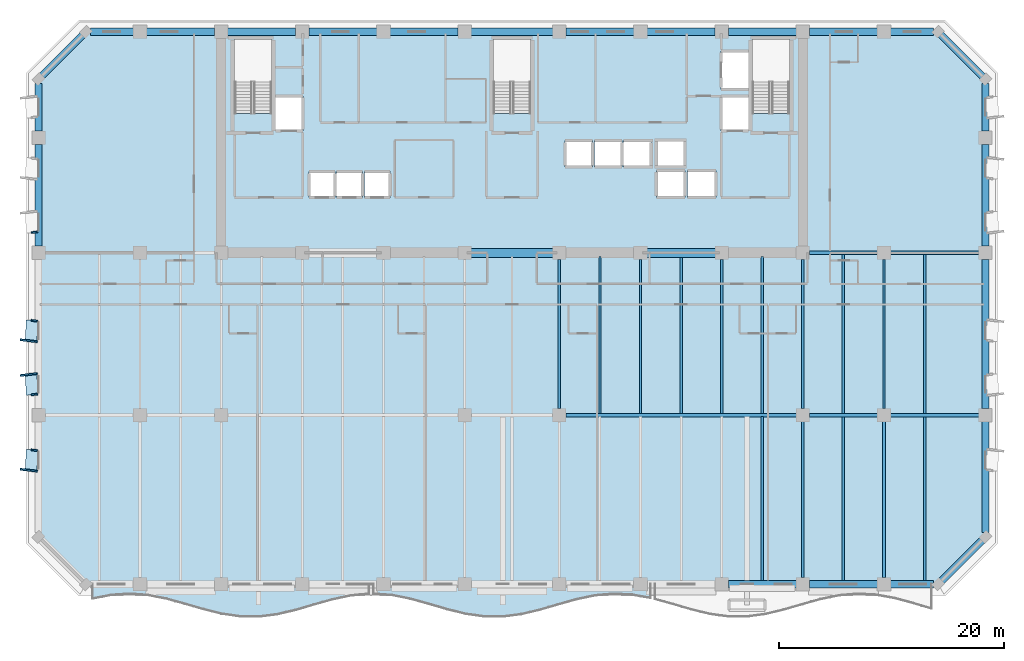
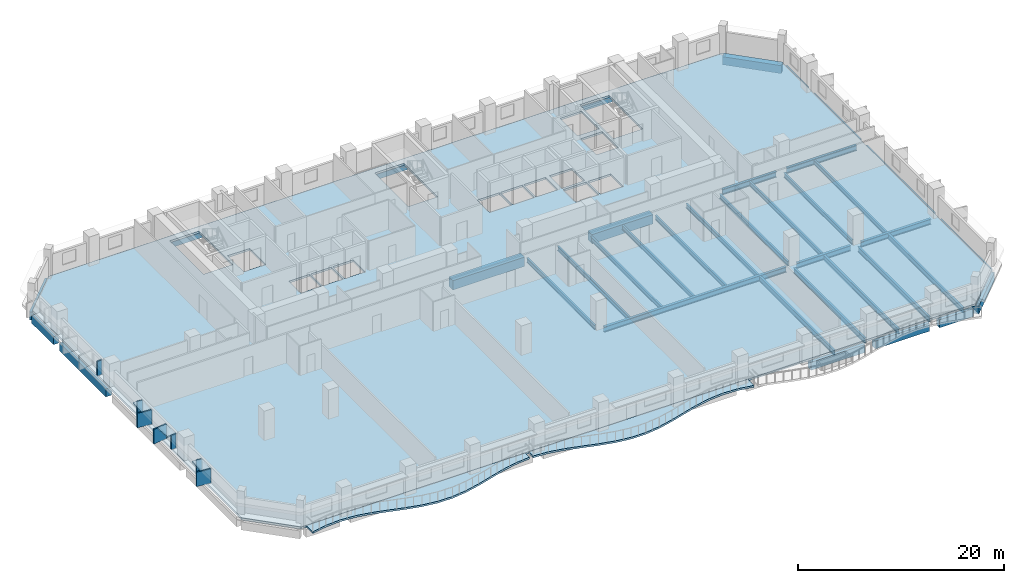
# One storey, part 2 of 14: 45 beams, 10 plates, 3 slabs.
"""IFC4 building model written with IfcOpenShell, lengths in metres."""

from ifc_helpers import new_model, si_unit, direction, frame, origin, origin_2d, place, context, subcontext, project, spatial, polyline, rectangle, i_section, outline, extrude, material, layer, layer_set, material_profile, profile_set, type_object, element, save


model = new_model("IFC4")

# Units and contexts
model_context = context("Model", 3, precision=1e-05, world=origin(), true_north=direction((0.0, 1.0)))
body_context = subcontext(model_context, "Body", "Model", "MODEL_VIEW")
ifc_project = project(units=[si_unit("LENGTHUNIT", "METRE"), si_unit("AREAUNIT", "SQUARE_METRE"), si_unit("VOLUMEUNIT", "CUBIC_METRE"), si_unit("PLANEANGLEUNIT", "RADIAN"), si_unit("MASSUNIT", "GRAM", prefix="KILO")], contexts=[model_context])

# Site, building, storey
site_placement = place(None, origin())
site = spatial("IfcSite", under=ifc_project, at=site_placement, CompositionType="ELEMENT")
building_placement = place(site_placement, origin())
building = spatial("IfcBuilding", under=site, at=building_placement, Name="Kaelvorn Grand Hotel", CompositionType="ELEMENT")
storey_placement = place(building_placement, frame((0.0, 0.0, 123.050048828125)))
storey = spatial("IfcBuildingStorey", under=building, at=storey_placement, Name="L29", CompositionType="ELEMENT", Elevation=123.050048828125)

# Beams
ifc_material_1 = material(Name="Steel S355", Category="steel")
ifc_material_profile_1 = material_profile(ifc_material_1, i_section(OverallWidth=0.300048828125, OverallDepth=0.64990234375, WebThickness=0.01611328125, FlangeThickness=0.031005859375, FilletRadius=0.027099609375, at=origin_2d()), Name="HEB 650")
ifc_profile_set_1 = profile_set([ifc_material_profile_1], Name="Steel S355")
beam_type_1 = type_object("IfcBeamType", Name="BM-G-HEB650-S355", PredefinedType="BEAM", material=ifc_profile_set_1)
beam_1_placement = place(storey_placement, frame((46.784912109375, 15.0, -0.56494140625), z_axis=(1.0, 0.0, 0.0), x_axis=(0.0, 1.0, 0.0)))
element("IfcBeam", 1, at=beam_1_placement, inside=storey, type_object=beam_type_1, Name="L29 Primary Spine Steel Girder G-15 05", PredefinedType="BEAM", context=body_context, shape_type="SweptSolid", body=[
    extrude(i_section(OverallWidth=0.300048828125, OverallDepth=0.64990234375, WebThickness=0.01611328125, FlangeThickness=0.031005859375, FilletRadius=0.027099609375, at=origin_2d()), origin(), (0.0, 0.0, 1.0), 20.43017578125),
])
beam_2_placement = place(storey_placement, frame((68.385009765625, 15.0, -0.56494140625), z_axis=(1.0, 0.0, 0.0), x_axis=(0.0, 1.0, 0.0)))
element("IfcBeam", 2, at=beam_2_placement, inside=storey, type_object=beam_type_1, Name="L29 Primary Spine Steel Girder G-15 06", PredefinedType="BEAM", context=body_context, shape_type="SweptSolid", body=[
    extrude(i_section(OverallWidth=0.300048828125, OverallDepth=0.64990234375, WebThickness=0.01611328125, FlangeThickness=0.031005859375, FilletRadius=0.027099609375, at=origin_2d()), origin(), (0.0, 0.0, 1.0), 6.030029296875),
])
beam_3_placement = place(storey_placement, frame((75.5849609375, 15.0, -0.56494140625), z_axis=(1.0, 0.0, 0.0), x_axis=(0.0, 1.0, 0.0)))
element("IfcBeam", 3, at=beam_3_placement, inside=storey, type_object=beam_type_1, Name="L29 Primary Spine Steel Girder G-15 07", PredefinedType="BEAM", context=body_context, shape_type="SweptSolid", body=[
    extrude(i_section(OverallWidth=0.300048828125, OverallDepth=0.64990234375, WebThickness=0.01611328125, FlangeThickness=0.031005859375, FilletRadius=0.027099609375, at=origin_2d()), origin(), (0.0, 0.0, 1.0), 7.830078125),
])
beam_4_placement = place(storey_placement, frame((68.385009765625, 29.39990234375, -0.56494140625), z_axis=(1.0, 0.0, 0.0), x_axis=(0.0, 1.0, 0.0)))
element("IfcBeam", 4, at=beam_4_placement, inside=storey, type_object=beam_type_1, Name="L29 East Core Wing Steel Girder G-29E 01", PredefinedType="BEAM", context=body_context, shape_type="SweptSolid", body=[
    extrude(i_section(OverallWidth=0.300048828125, OverallDepth=0.64990234375, WebThickness=0.01611328125, FlangeThickness=0.031005859375, FilletRadius=0.027099609375, at=origin_2d()), origin(), (0.0, 0.0, 1.0), 6.030029296875),
])
beam_5_placement = place(storey_placement, frame((75.5849609375, 29.39990234375, -0.56494140625), z_axis=(1.0, 0.0, 0.0), x_axis=(0.0, 1.0, 0.0)))
element("IfcBeam", 5, at=beam_5_placement, inside=storey, type_object=beam_type_1, Name="L29 East Core Wing Steel Girder G-29E 02", PredefinedType="BEAM", context=body_context, shape_type="SweptSolid", body=[
    extrude(i_section(OverallWidth=0.300048828125, OverallDepth=0.64990234375, WebThickness=0.01611328125, FlangeThickness=0.031005859375, FilletRadius=0.027099609375, at=origin_2d()), origin(), (0.0, 0.0, 1.0), 7.830078125),
])
ifc_material_profile_2 = material_profile(ifc_material_1, i_section(OverallWidth=0.209228515625, OverallDepth=0.533203125, WebThickness=0.010009765625, FlangeThickness=0.015625, FilletRadius=0.0126953125, at=origin_2d()), Name="UB 533x210x92")
ifc_profile_set_2 = profile_set([ifc_material_profile_2], Name="Steel S355")
beam_type_2 = type_object("IfcBeamType", Name="BM-J-UB533-S355", PredefinedType="JOIST", material=ifc_profile_set_2)
beam_6_placement = place(storey_placement, frame((46.199951171875, 15.5849609375, -0.506591796875), z_axis=(0.0, 1.0, 0.0), x_axis=(-1.0, 0.0, 0.0)))
element("IfcBeam", 6, at=beam_6_placement, inside=storey, type_object=beam_type_2, Name="L29 Composite Floor Joist JM-13", PredefinedType="JOIST", context=body_context, shape_type="SweptSolid", body=[
    extrude(i_section(OverallWidth=0.209228515625, OverallDepth=0.533203125, WebThickness=0.010009765625, FlangeThickness=0.015625, FilletRadius=0.0126953125, at=origin_2d()), origin(), (0.0, 0.0, 1.0), 13.22998046875),
])
beam_7_placement = place(storey_placement, frame((49.800048828125, 15.135009765625, -0.506591796875), z_axis=(0.0, 1.0, 0.0), x_axis=(-1.0, 0.0, 0.0)))
element("IfcBeam", 7, at=beam_7_placement, inside=storey, type_object=beam_type_2, Name="L29 Composite Floor Joist JM-14", PredefinedType="JOIST", context=body_context, shape_type="SweptSolid", body=[
    extrude(i_section(OverallWidth=0.209228515625, OverallDepth=0.533203125, WebThickness=0.010009765625, FlangeThickness=0.015625, FilletRadius=0.0126953125, at=origin_2d()), origin(), (0.0, 0.0, 1.0), 13.925048828125),
])
beam_8_placement = place(storey_placement, frame((53.39990234375, 15.135009765625, -0.506591796875), z_axis=(0.0, 1.0, 0.0), x_axis=(-1.0, 0.0, 0.0)))
element("IfcBeam", 8, at=beam_8_placement, inside=storey, type_object=beam_type_2, Name="L29 Composite Floor Joist JM-15", PredefinedType="JOIST", context=body_context, shape_type="SweptSolid", body=[
    extrude(i_section(OverallWidth=0.209228515625, OverallDepth=0.533203125, WebThickness=0.010009765625, FlangeThickness=0.015625, FilletRadius=0.0126953125, at=origin_2d()), origin(), (0.0, 0.0, 1.0), 13.679931640625),
])
beam_9_placement = place(storey_placement, frame((57.0, 15.135009765625, -0.506591796875), z_axis=(0.0, 1.0, 0.0), x_axis=(-1.0, 0.0, 0.0)))
element("IfcBeam", 9, at=beam_9_placement, inside=storey, type_object=beam_type_2, Name="L29 Composite Floor Joist JM-16", PredefinedType="JOIST", context=body_context, shape_type="SweptSolid", body=[
    extrude(i_section(OverallWidth=0.209228515625, OverallDepth=0.533203125, WebThickness=0.010009765625, FlangeThickness=0.015625, FilletRadius=0.0126953125, at=origin_2d()), origin(), (0.0, 0.0, 1.0), 13.925048828125),
])
beam_10_placement = place(storey_placement, frame((60.60009765625, 15.135009765625, -0.506591796875), z_axis=(0.0, 1.0, 0.0), x_axis=(-1.0, 0.0, 0.0)))
element("IfcBeam", 10, at=beam_10_placement, inside=storey, type_object=beam_type_2, Name="L29 Composite Floor Joist JM-17", PredefinedType="JOIST", context=body_context, shape_type="SweptSolid", body=[
    extrude(i_section(OverallWidth=0.209228515625, OverallDepth=0.533203125, WebThickness=0.010009765625, FlangeThickness=0.015625, FilletRadius=0.0126953125, at=origin_2d()), origin(), (0.0, 0.0, 1.0), 13.679931640625),
])
beam_11_placement = place(storey_placement, frame((64.199951171875, 15.135009765625, -0.506591796875), z_axis=(0.0, 1.0, 0.0), x_axis=(-1.0, 0.0, 0.0)))
element("IfcBeam", 11, at=beam_11_placement, inside=storey, type_object=beam_type_2, Name="L29 Composite Floor Joist JM-18", PredefinedType="JOIST", context=body_context, shape_type="SweptSolid", body=[
    extrude(i_section(OverallWidth=0.209228515625, OverallDepth=0.533203125, WebThickness=0.010009765625, FlangeThickness=0.015625, FilletRadius=0.0126953125, at=origin_2d()), origin(), (0.0, 0.0, 1.0), 13.925048828125),
])
beam_12_placement = place(storey_placement, frame((67.800048828125, 15.5849609375, -0.506591796875), z_axis=(0.0, 1.0, 0.0), x_axis=(-1.0, 0.0, 0.0)))
element("IfcBeam", 12, at=beam_12_placement, inside=storey, type_object=beam_type_2, Name="L29 Composite Floor Joist JM-19", PredefinedType="JOIST", context=body_context, shape_type="SweptSolid", body=[
    extrude(i_section(OverallWidth=0.209228515625, OverallDepth=0.533203125, WebThickness=0.010009765625, FlangeThickness=0.015625, FilletRadius=0.0126953125, at=origin_2d()), origin(), (0.0, 0.0, 1.0), 13.22998046875),
])
beam_13_placement = place(storey_placement, frame((71.39990234375, 15.135009765625, -0.506591796875), z_axis=(0.0, 1.0, 0.0), x_axis=(-1.0, 0.0, 0.0)))
element("IfcBeam", 13, at=beam_13_placement, inside=storey, type_object=beam_type_2, Name="L29 Composite Floor Joist JM-20", PredefinedType="JOIST", context=body_context, shape_type="SweptSolid", body=[
    extrude(i_section(OverallWidth=0.209228515625, OverallDepth=0.533203125, WebThickness=0.010009765625, FlangeThickness=0.015625, FilletRadius=0.0126953125, at=origin_2d()), origin(), (0.0, 0.0, 1.0), 14.1298828125),
])
beam_14_placement = place(storey_placement, frame((75.0, 15.5849609375, -0.506591796875), z_axis=(0.0, 1.0, 0.0), x_axis=(-1.0, 0.0, 0.0)))
element("IfcBeam", 14, at=beam_14_placement, inside=storey, type_object=beam_type_2, Name="L29 Composite Floor Joist JM-21", PredefinedType="JOIST", context=body_context, shape_type="SweptSolid", body=[
    extrude(i_section(OverallWidth=0.209228515625, OverallDepth=0.533203125, WebThickness=0.010009765625, FlangeThickness=0.015625, FilletRadius=0.0126953125, at=origin_2d()), origin(), (0.0, 0.0, 1.0), 13.22998046875),
])
beam_15_placement = place(storey_placement, frame((78.60009765625, 15.135009765625, -0.506591796875), z_axis=(0.0, 1.0, 0.0), x_axis=(-1.0, 0.0, 0.0)))
element("IfcBeam", 15, at=beam_15_placement, inside=storey, type_object=beam_type_2, Name="L29 Composite Floor Joist JM-22", PredefinedType="JOIST", context=body_context, shape_type="SweptSolid", body=[
    extrude(i_section(OverallWidth=0.209228515625, OverallDepth=0.533203125, WebThickness=0.010009765625, FlangeThickness=0.015625, FilletRadius=0.0126953125, at=origin_2d()), origin(), (0.0, 0.0, 1.0), 14.1298828125),
])
ifc_material_profile_3 = material_profile(ifc_material_1, i_section(OverallWidth=0.22900390625, OverallDepth=0.6123046875, WebThickness=0.011962890625, FlangeThickness=0.01953125, FilletRadius=0.0126953125, at=origin_2d()), Name="UB 610x229x125")
ifc_profile_set_3 = profile_set([ifc_material_profile_3], Name="Steel S355")
beam_type_3 = type_object("IfcBeamType", Name="BM-J-UB610-S355", PredefinedType="JOIST", material=ifc_profile_set_3)
beam_16_placement = place(storey_placement, frame((64.199951171875, 0.31005859375, -0.546142578125), z_axis=(0.0, 1.0, 0.0), x_axis=(-1.0, 0.0, 0.0)))
element("IfcBeam", 16, at=beam_16_placement, inside=storey, type_object=beam_type_3, Name="L29 Composite Floor Joist JS-18", PredefinedType="JOIST", context=body_context, shape_type="SweptSolid", body=[
    extrude(i_section(OverallWidth=0.22900390625, OverallDepth=0.6123046875, WebThickness=0.011962890625, FlangeThickness=0.01953125, FilletRadius=0.0126953125, at=origin_2d()), origin(), (0.0, 0.0, 1.0), 14.554931640625),
])
beam_17_placement = place(storey_placement, frame((67.800048828125, 0.5849609375, -0.546142578125), z_axis=(0.0, 1.0, 0.0), x_axis=(-1.0, 0.0, 0.0)))
element("IfcBeam", 17, at=beam_17_placement, inside=storey, type_object=beam_type_3, Name="L29 Composite Floor Joist JS-19", PredefinedType="JOIST", context=body_context, shape_type="SweptSolid", body=[
    extrude(i_section(OverallWidth=0.22900390625, OverallDepth=0.6123046875, WebThickness=0.011962890625, FlangeThickness=0.01953125, FilletRadius=0.0126953125, at=origin_2d()), origin(), (0.0, 0.0, 1.0), 13.830078125),
])
beam_18_placement = place(storey_placement, frame((71.39990234375, 0.31005859375, -0.546142578125), z_axis=(0.0, 1.0, 0.0), x_axis=(-1.0, 0.0, 0.0)))
element("IfcBeam", 18, at=beam_18_placement, inside=storey, type_object=beam_type_3, Name="L29 Composite Floor Joist JS-20", PredefinedType="JOIST", context=body_context, shape_type="SweptSolid", body=[
    extrude(i_section(OverallWidth=0.22900390625, OverallDepth=0.6123046875, WebThickness=0.011962890625, FlangeThickness=0.01953125, FilletRadius=0.0126953125, at=origin_2d()), origin(), (0.0, 0.0, 1.0), 14.554931640625),
])
beam_19_placement = place(storey_placement, frame((75.0, 0.5849609375, -0.546142578125), z_axis=(0.0, 1.0, 0.0), x_axis=(-1.0, 0.0, 0.0)))
element("IfcBeam", 19, at=beam_19_placement, inside=storey, type_object=beam_type_3, Name="L29 Composite Floor Joist JS-21", PredefinedType="JOIST", context=body_context, shape_type="SweptSolid", body=[
    extrude(i_section(OverallWidth=0.22900390625, OverallDepth=0.6123046875, WebThickness=0.011962890625, FlangeThickness=0.01953125, FilletRadius=0.0126953125, at=origin_2d()), origin(), (0.0, 0.0, 1.0), 13.830078125),
])
beam_20_placement = place(storey_placement, frame((78.60009765625, 0.31005859375, -0.546142578125), z_axis=(0.0, 1.0, 0.0), x_axis=(-1.0, 0.0, 0.0)))
element("IfcBeam", 20, at=beam_20_placement, inside=storey, type_object=beam_type_3, Name="L29 Composite Floor Joist JS-22", PredefinedType="JOIST", context=body_context, shape_type="SweptSolid", body=[
    extrude(i_section(OverallWidth=0.22900390625, OverallDepth=0.6123046875, WebThickness=0.011962890625, FlangeThickness=0.01953125, FilletRadius=0.0126953125, at=origin_2d()), origin(), (0.0, 0.0, 1.0), 14.554931640625),
])
ifc_material_2 = material(Name="Concrete C60/75", Category="concrete")
ifc_material_profile_4 = material_profile(ifc_material_2, rectangle(XDim=0.800048828125, YDim=1.10009765625, at=origin_2d()), Name="RC LINTEL 800x1100")
ifc_profile_set_4 = profile_set([ifc_material_profile_4], Name="Concrete C60/75")
beam_type_4 = type_object("IfcBeamType", Name="BM-LIN-800x1100-C60", PredefinedType="LINTEL", material=ifc_profile_set_4)
beam_21_placement = place(storey_placement, frame((37.97998046875, 29.39990234375, -0.7900390625), z_axis=(1.0, 0.0, 0.0), x_axis=(0.0, 1.0, 0.0)))
element("IfcBeam", 21, at=beam_21_placement, inside=storey, type_object=beam_type_4, Name="L29 Rear-Core Coupling Lintel Beam CB1-02", PredefinedType="LINTEL", context=body_context, shape_type="SweptSolid", body=[
    extrude(rectangle(XDim=0.800048828125, YDim=1.10009765625, at=origin_2d()), origin(), (0.0, 0.0, 1.0), 8.0400390625),
])
beam_22_placement = place(storey_placement, frame((53.580078125, 29.39990234375, -0.7900390625), z_axis=(1.0, 0.0, 0.0), x_axis=(0.0, 1.0, 0.0)))
element("IfcBeam", 22, at=beam_22_placement, inside=storey, type_object=beam_type_4, Name="L29 Rear-Core Coupling Lintel Beam CB1-03", PredefinedType="LINTEL", context=body_context, shape_type="SweptSolid", body=[
    extrude(rectangle(XDim=0.800048828125, YDim=1.10009765625, at=origin_2d()), origin(), (0.0, 0.0, 1.0), 6.83984375),
])
ifc_material_profile_5 = material_profile(ifc_material_2, rectangle(XDim=0.64990234375, YDim=0.949951171875, at=origin_2d()), Name="RC SPANDREL 650x950")
ifc_profile_set_5 = profile_set([ifc_material_profile_5], Name="Concrete C60/75")
beam_type_5 = type_object("IfcBeamType", Name="BM-SP-650x950-C60", PredefinedType="SPANDREL", material=ifc_profile_set_5)
for number, where, z_axis, x_axis, name in (
    (23, (61.18505859375, 0.0, -0.715087890625), (1.0, 0.0, 0.0), (0.0, 1.0, 0.0), "L29 South Perimeter Spandrel 09"),
    (24, (68.385009765625, 0.0, -0.715087890625), (1.0, 0.0, 0.0), (0.0, 1.0, 0.0), "L29 South Perimeter Spandrel 10"),
):
    element("IfcBeam", number, at=place(storey_placement, frame(where, z_axis=z_axis, x_axis=x_axis)), inside=storey, type_object=beam_type_5, Name=name, PredefinedType="SPANDREL", context=body_context, shape_type="SweptSolid", body=[
        extrude(rectangle(XDim=0.64990234375, YDim=0.949951171875, at=origin_2d()), origin(), (0.0, 0.0, 1.0), 6.030029296875),
    ])
for number, where, z_axis, x_axis, name in (
    (25, (75.5849609375, 0.0, -0.715087890625), (1.0, 0.0, 0.0), (0.0, 1.0, 0.0), "L29 South Perimeter Spandrel 11"),
    (26, (4.60498046875, 49.0, -0.715087890625), (1.0, 0.0, 0.0), (0.0, 1.0, 0.0), "L29 North Perimeter Spandrel 01"),
):
    element("IfcBeam", number, at=place(storey_placement, frame(where, z_axis=z_axis, x_axis=x_axis)), inside=storey, type_object=beam_type_5, Name=name, PredefinedType="SPANDREL", context=body_context, shape_type="SweptSolid", body=[
        extrude(rectangle(XDim=0.64990234375, YDim=0.949951171875, at=origin_2d()), origin(), (0.0, 0.0, 1.0), 3.81005859375),
    ])
for number, where, z_axis, x_axis, name in (
    (27, (9.5849609375, 49.0, -0.715087890625), (1.0, 0.0, 0.0), (0.0, 1.0, 0.0), "L29 North Perimeter Spandrel 02"),
    (28, (16.784912109375, 49.0, -0.715087890625), (1.0, 0.0, 0.0), (0.0, 1.0, 0.0), "L29 North Perimeter Spandrel 03"),
):
    element("IfcBeam", number, at=place(storey_placement, frame(where, z_axis=z_axis, x_axis=x_axis)), inside=storey, type_object=beam_type_5, Name=name, PredefinedType="SPANDREL", context=body_context, shape_type="SweptSolid", body=[
        extrude(rectangle(XDim=0.64990234375, YDim=0.949951171875, at=origin_2d()), origin(), (0.0, 0.0, 1.0), 6.030029296875),
    ])
beam_23_placement = place(storey_placement, frame((23.985107421875, 49.0, -0.715087890625), z_axis=(1.0, 0.0, 0.0), x_axis=(0.0, 1.0, 0.0)))
element("IfcBeam", 29, at=beam_23_placement, inside=storey, type_object=beam_type_5, Name="L29 North Perimeter Spandrel 04", PredefinedType="SPANDREL", context=body_context, shape_type="SweptSolid", body=[
    extrude(rectangle(XDim=0.64990234375, YDim=0.949951171875, at=origin_2d()), origin(), (0.0, 0.0, 1.0), 6.02978515625),
])
beam_24_placement = place(storey_placement, frame((31.18505859375, 49.0, -0.715087890625), z_axis=(1.0, 0.0, 0.0), x_axis=(0.0, 1.0, 0.0)))
element("IfcBeam", 30, at=beam_24_placement, inside=storey, type_object=beam_type_5, Name="L29 North Perimeter Spandrel 05", PredefinedType="SPANDREL", context=body_context, shape_type="SweptSolid", body=[
    extrude(rectangle(XDim=0.64990234375, YDim=0.949951171875, at=origin_2d()), origin(), (0.0, 0.0, 1.0), 6.030029296875),
])
beam_25_placement = place(storey_placement, frame((38.385009765625, 49.0, -0.715087890625), z_axis=(1.0, 0.0, 0.0), x_axis=(0.0, 1.0, 0.0)))
element("IfcBeam", 31, at=beam_25_placement, inside=storey, type_object=beam_type_5, Name="L29 North Perimeter Spandrel 06", PredefinedType="SPANDREL", context=body_context, shape_type="SweptSolid", body=[
    extrude(rectangle(XDim=0.64990234375, YDim=0.949951171875, at=origin_2d()), origin(), (0.0, 0.0, 1.0), 7.22998046875),
])
beam_26_placement = place(storey_placement, frame((46.784912109375, 49.0, -0.715087890625), z_axis=(1.0, 0.0, 0.0), x_axis=(0.0, 1.0, 0.0)))
element("IfcBeam", 32, at=beam_26_placement, inside=storey, type_object=beam_type_5, Name="L29 North Perimeter Spandrel 07", PredefinedType="SPANDREL", context=body_context, shape_type="SweptSolid", body=[
    extrude(rectangle(XDim=0.64990234375, YDim=0.949951171875, at=origin_2d()), origin(), (0.0, 0.0, 1.0), 6.030029296875),
])
beam_27_placement = place(storey_placement, frame((53.985107421875, 49.0, -0.715087890625), z_axis=(1.0, 0.0, 0.0), x_axis=(0.0, 1.0, 0.0)))
element("IfcBeam", 33, at=beam_27_placement, inside=storey, type_object=beam_type_5, Name="L29 North Perimeter Spandrel 08", PredefinedType="SPANDREL", context=body_context, shape_type="SweptSolid", body=[
    extrude(rectangle(XDim=0.64990234375, YDim=0.949951171875, at=origin_2d()), origin(), (0.0, 0.0, 1.0), 6.02978515625),
])
for number, where, z_axis, x_axis, name in (
    (34, (61.18505859375, 49.0, -0.715087890625), (1.0, 0.0, 0.0), (0.0, 1.0, 0.0), "L29 North Perimeter Spandrel 09"),
    (35, (68.385009765625, 49.0, -0.715087890625), (1.0, 0.0, 0.0), (0.0, 1.0, 0.0), "L29 North Perimeter Spandrel 10"),
):
    element("IfcBeam", number, at=place(storey_placement, frame(where, z_axis=z_axis, x_axis=x_axis)), inside=storey, type_object=beam_type_5, Name=name, PredefinedType="SPANDREL", context=body_context, shape_type="SweptSolid", body=[
        extrude(rectangle(XDim=0.64990234375, YDim=0.949951171875, at=origin_2d()), origin(), (0.0, 0.0, 1.0), 6.030029296875),
    ])
beam_28_placement = place(storey_placement, frame((75.5849609375, 49.0, -0.715087890625), z_axis=(1.0, 0.0, 0.0), x_axis=(0.0, 1.0, 0.0)))
element("IfcBeam", 36, at=beam_28_placement, inside=storey, type_object=beam_type_5, Name="L29 North Perimeter Spandrel 11", PredefinedType="SPANDREL", context=body_context, shape_type="SweptSolid", body=[
    extrude(rectangle(XDim=0.64990234375, YDim=0.949951171875, at=origin_2d()), origin(), (0.0, 0.0, 1.0), 3.81005859375),
])
beam_29_placement = place(storey_placement, frame((0.0, 29.985107421875, -0.715087890625), z_axis=(0.0, 1.0, 0.0), x_axis=(-1.0, 0.0, 0.0)))
element("IfcBeam", 37, at=beam_29_placement, inside=storey, type_object=beam_type_5, Name="L29 West Perimeter Spandrel 03", PredefinedType="SPANDREL", context=body_context, shape_type="SweptSolid", body=[
    extrude(rectangle(XDim=0.64990234375, YDim=0.949951171875, at=origin_2d()), origin(), (0.0, 0.0, 1.0), 9.02978515625),
])
beam_30_placement = place(storey_placement, frame((0.0, 40.18505859375, -0.715087890625), z_axis=(0.0, 1.0, 0.0), x_axis=(-1.0, 0.0, 0.0)))
element("IfcBeam", 38, at=beam_30_placement, inside=storey, type_object=beam_type_5, Name="L29 West Perimeter Spandrel 04", PredefinedType="SPANDREL", context=body_context, shape_type="SweptSolid", body=[
    extrude(rectangle(XDim=0.64990234375, YDim=0.949951171875, at=origin_2d()), origin(), (0.0, 0.0, 1.0), 4.2099609375),
])
beam_31_placement = place(storey_placement, frame((84.0, 4.60498046875, -0.715087890625), z_axis=(0.0, 1.0, 0.0), x_axis=(-1.0, 0.0, 0.0)))
element("IfcBeam", 39, at=beam_31_placement, inside=storey, type_object=beam_type_5, Name="L29 East Perimeter Spandrel 01", PredefinedType="SPANDREL", context=body_context, shape_type="SweptSolid", body=[
    extrude(rectangle(XDim=0.64990234375, YDim=0.949951171875, at=origin_2d()), origin(), (0.0, 0.0, 1.0), 9.81005859375),
])
beam_32_placement = place(storey_placement, frame((84.0, 15.5849609375, -0.715087890625), z_axis=(0.0, 1.0, 0.0), x_axis=(-1.0, 0.0, 0.0)))
element("IfcBeam", 40, at=beam_32_placement, inside=storey, type_object=beam_type_5, Name="L29 East Perimeter Spandrel 02", PredefinedType="SPANDREL", context=body_context, shape_type="SweptSolid", body=[
    extrude(rectangle(XDim=0.64990234375, YDim=0.949951171875, at=origin_2d()), origin(), (0.0, 0.0, 1.0), 13.22998046875),
])
beam_33_placement = place(storey_placement, frame((84.0, 29.985107421875, -0.715087890625), z_axis=(0.0, 1.0, 0.0), x_axis=(-1.0, 0.0, 0.0)))
element("IfcBeam", 41, at=beam_33_placement, inside=storey, type_object=beam_type_5, Name="L29 East Perimeter Spandrel 03", PredefinedType="SPANDREL", context=body_context, shape_type="SweptSolid", body=[
    extrude(rectangle(XDim=0.64990234375, YDim=0.949951171875, at=origin_2d()), origin(), (0.0, 0.0, 1.0), 9.02978515625),
])
beam_34_placement = place(storey_placement, frame((84.0, 40.18505859375, -0.715087890625), z_axis=(0.0, 1.0, 0.0), x_axis=(-1.0, 0.0, 0.0)))
element("IfcBeam", 42, at=beam_34_placement, inside=storey, type_object=beam_type_5, Name="L29 East Perimeter Spandrel 04", PredefinedType="SPANDREL", context=body_context, shape_type="SweptSolid", body=[
    extrude(rectangle(XDim=0.64990234375, YDim=0.949951171875, at=origin_2d()), origin(), (0.0, 0.0, 1.0), 4.2099609375),
])
for number, where, z_axis, x_axis, name in (
    (43, (79.800048828125, 0.0, -0.715087890625), (0.707106781187, 0.707106781187, 0.0), (-0.707106781187, 0.707106781187, 0.0), "L29 Chamfer Spandrel Beam 1"),
    (44, (84.0, 44.800048828125, -0.715087890625), (-0.707106781187, 0.707106781187, 0.0), (-0.707106781187, -0.707106781187, 0.0), "L29 Chamfer Spandrel Beam 2"),
    (45, (4.199951171875, 49.0, -0.715087890625), (-0.707106781187, -0.707106781187, 0.0), (0.707106781187, -0.707106781187, 0.0), "L29 Chamfer Spandrel Beam 3"),
):
    element("IfcBeam", number, at=place(storey_placement, frame(where, z_axis=z_axis, x_axis=x_axis)), inside=storey, type_object=beam_type_5, Name=name, PredefinedType="SPANDREL", context=body_context, shape_type="SweptSolid", body=[
        extrude(rectangle(XDim=0.64990234375, YDim=0.949951171875, at=origin_2d()), origin(), (0.0, 0.0, 1.0), 5.939697265625),
    ])

# Plates
ifc_material_3 = material(Name="Precast concrete C45/55", Category="concrete")
ifc_layer_1 = layer(ifc_material_3, 0.159912109375)
ifc_layer_set_1 = layer_set([ifc_layer_1], Name="Precast concrete C45/55")
plate_type_1 = type_object("IfcPlateType", Name="PL-FRAME-DEEP-1550", PredefinedType="USERDEFINED", material=ifc_layer_set_1)
for number, where, z_axis, x_axis, name in (
    (46, (-0.864990234375, 10.110107421875, 0.68994140625), (0.0, 0.0, 1.0), (0.121869343405, 0.992546151641, 0.0), "L29 Tilted Precast Window Frame Fin L-W01"),
    (47, (-0.864990234375, 18.60498046875, 0.68994140625), (0.0, 0.0, 1.0), (-0.121869343405, 0.992546151641, 0.0), "L29 Tilted Precast Window Frame Fin R-W02"),
    (48, (-0.864990234375, 21.594970703125, 0.68994140625), (0.0, 0.0, 1.0), (0.121869343405, 0.992546151641, 0.0), "L29 Tilted Precast Window Frame Fin L-W03"),
):
    element("IfcPlate", number, at=place(storey_placement, frame(where, z_axis=z_axis, x_axis=x_axis)), inside=storey, type_object=plate_type_1, Name=name, ObjectType="FLANGE_PLATE", PredefinedType="USERDEFINED", context=body_context, shape_type="SweptSolid", body=[
        extrude(rectangle(XDim=0.159912109375, YDim=1.550048828125, at=origin_2d()), origin(), (0.0, 0.0, 1.0), 1.719970703125),
    ])
ifc_layer_2 = layer(ifc_material_3, 0.159912109375)
ifc_layer_set_2 = layer_set([ifc_layer_2], Name="Precast concrete C45/55")
plate_type_2 = type_object("IfcPlateType", Name="PL-FRAME-HEAD-1050", PredefinedType="USERDEFINED", material=ifc_layer_set_2)
for number, where, z_axis, x_axis, name in (
    (49, (-0.614990234375, 11.0, 2.25), (0.0, 0.0, 1.0), (0.054950179912, 0.998489097451, 0.0), "L29 Precast Window Frame Head Hood H-W01"),
    (50, (-0.614990234375, 17.715087890625, 2.25), (0.0, 0.0, 1.0), (-0.054950179912, 0.998489097451, 0.0), "L29 Precast Window Frame Head Hood H-W02"),
    (51, (-0.614990234375, 22.485107421875, 2.25), (0.0, 0.0, 1.0), (0.054950179912, 0.998489097451, 0.0), "L29 Precast Window Frame Head Hood H-W03"),
):
    element("IfcPlate", number, at=place(storey_placement, frame(where, z_axis=z_axis, x_axis=x_axis)), inside=storey, type_object=plate_type_2, Name=name, ObjectType="FLANGE_PLATE", PredefinedType="USERDEFINED", context=body_context, shape_type="SweptSolid", body=[
        extrude(rectangle(XDim=1.860107421875, YDim=1.050048828125, at=origin_2d()), origin(), (0.0, 0.0, 1.0), 0.159912109375),
    ])
ifc_layer_3 = layer(ifc_material_3, 0.159912109375)
ifc_layer_set_3 = layer_set([ifc_layer_3], Name="Precast concrete C45/55")
plate_type_3 = type_object("IfcPlateType", Name="PL-FRAME-SHAL-550", PredefinedType="USERDEFINED", material=ifc_layer_set_3)
for number, where, z_axis, x_axis, name in (
    (52, (-0.364990234375, 11.889892578125, 0.68994140625), (0.0, 0.0, 1.0), (0.121869343405, 0.992546151641, 0.0), "L29 Tilted Precast Window Frame Fin R-W01"),
    (53, (-0.364990234375, 16.824951171875, 0.68994140625), (0.0, 0.0, 1.0), (-0.121869343405, 0.992546151641, 0.0), "L29 Tilted Precast Window Frame Fin L-W02"),
    (54, (-0.364990234375, 23.375, 0.68994140625), (0.0, 0.0, 1.0), (0.121869343405, 0.992546151641, 0.0), "L29 Tilted Precast Window Frame Fin R-W03"),
    (55, (-0.364990234375, 31.22509765625, 0.68994140625), (0.0, 0.0, 1.0), (-0.121869343405, 0.992546151641, 0.0), "L29 Tilted Precast Window Frame Fin L-W04"),
):
    element("IfcPlate", number, at=place(storey_placement, frame(where, z_axis=z_axis, x_axis=x_axis)), inside=storey, type_object=plate_type_3, Name=name, ObjectType="FLANGE_PLATE", PredefinedType="USERDEFINED", context=body_context, shape_type="SweptSolid", body=[
        extrude(rectangle(XDim=0.159912109375, YDim=0.550048828125, at=origin_2d()), origin(), (0.0, 0.0, 1.0), 1.719970703125),
    ])

# Slabs
ifc_material_4 = material(Name="Concrete C40/50", Category="concrete")
ifc_layer_4 = layer(ifc_material_4, 0.219970703125)
ifc_layer_set_4 = layer_set([ifc_layer_4], Name="Concrete C40/50")
slab_type_1 = type_object("IfcSlabType", Name="SLB-BALC-220-C40", PredefinedType="FLOOR", material=ifc_layer_set_4)
slab_1_placement = place(storey_placement, frame((0.0, 0.0, -0.219970703125)))
element("IfcSlab", 56, at=slab_1_placement, inside=storey, type_object=slab_type_1, Name="L29 Scalloped Wave Balcony Slab 1", PredefinedType="FLOOR", context=body_context, shape_type="SweptSolid", body=[
    extrude(outline(polyline([(4.800048828125, -1.2724609375), (6.435546875, -0.959716796875), (8.071044921875, -0.85009765625), (9.706787109375, -0.968017578125), (11.34228515625, -1.28759765625), (12.977783203125, -1.737548828125), (14.61328125, -2.218017578125), (16.248779296875, -2.622314453125), (17.884521484375, -2.860595703125), (19.52001953125, -2.880126953125), (21.155517578125, -2.676025390625), (22.791015625, -2.29443359375), (24.4267578125, -1.8193359375), (26.062255859375, -1.356689453125), (27.69775390625, -1.00927734375), (29.333251953125, -0.85400390625), (29.333251953125, 0.0), (4.800048828125, 0.0), (4.800048828125, -1.2724609375)])), origin(), (0.0, 0.0, 1.0), 0.219970703125),
])
slab_2_placement = place(storey_placement, frame((0.0, 0.0, -0.219970703125)))
element("IfcSlab", 57, at=slab_2_placement, inside=storey, type_object=slab_type_1, Name="L29 Scalloped Wave Balcony Slab 2", PredefinedType="FLOOR", context=body_context, shape_type="SweptSolid", body=[
    extrude(outline(polyline([(29.7333984375, -0.850341796875), (31.368896484375, -0.976806640625), (33.00439453125, -1.302978515625), (34.639892578125, -1.756103515625), (36.275634765625, -2.235595703125), (37.9111328125, -2.635009765625), (39.546630859375, -2.865478515625), (41.18212890625, -2.876220703125), (42.81787109375, -2.66455078125), (44.453369140625, -2.27734375), (46.0888671875, -1.80078125), (47.724365234375, -1.3408203125), (49.360107421875, -0.99951171875), (50.99560546875, -0.8525390625), (52.631103515625, -0.932861328125), (54.2666015625, -1.22216796875), (54.2666015625, 0.0), (29.7333984375, 0.0), (29.7333984375, -0.850341796875)])), origin(), (0.0, 0.0, 1.0), 0.219970703125),
])
ifc_layer_5 = layer(ifc_material_4, 0.239990234375)
ifc_layer_set_5 = layer_set([ifc_layer_5], Name="Concrete C40/50")
slab_type_2 = type_object("IfcSlabType", Name="SLB-FLR-240-C40", PredefinedType="FLOOR", material=ifc_layer_set_5)
slab_3_placement = place(storey_placement, frame((0.0, 0.0, -0.239990234375)))
element("IfcSlab", 58, at=slab_3_placement, inside=storey, type_object=slab_type_2, Name="L29 Indoor Suspended Floor Slab", PredefinedType="FLOOR", context=body_context, shape_type="SweptSolid", body=[
    extrude(outline(polyline([(4.199951171875, 0.0), (79.800048828125, 0.0), (84.0, 4.199951171875), (84.0, 44.800048828125), (79.800048828125, 49.0), (4.199951171875, 49.0), (0.0, 44.800048828125), (0.0, 4.199951171875), (4.199951171875, 0.0)]), holes=[polyline([(17.39990234375, 41.760009765625), (17.39990234375, 48.300048828125), (20.679931640625, 48.300048828125), (20.679931640625, 41.760009765625), (17.39990234375, 41.760009765625)]), polyline([(40.360107421875, 41.760009765625), (40.360107421875, 48.300048828125), (43.639892578125, 48.300048828125), (43.639892578125, 41.760009765625), (40.360107421875, 41.760009765625)]), polyline([(63.320068359375, 41.760009765625), (63.320068359375, 48.300048828125), (66.60009765625, 48.300048828125), (66.60009765625, 41.760009765625), (63.320068359375, 41.760009765625)]), polyline([(24.0, 34.300048828125), (24.0, 36.60009765625), (26.300048828125, 36.60009765625), (26.300048828125, 34.300048828125), (24.0, 34.300048828125)]), polyline([(26.449951171875, 34.300048828125), (26.449951171875, 36.60009765625), (28.75, 36.60009765625), (28.75, 34.300048828125), (26.449951171875, 34.300048828125)]), polyline([(28.89990234375, 34.300048828125), (28.89990234375, 36.60009765625), (31.199951171875, 36.60009765625), (31.199951171875, 34.300048828125), (28.89990234375, 34.300048828125)]), polyline([(46.699951171875, 37.0), (46.699951171875, 39.35009765625), (49.14990234375, 39.35009765625), (49.14990234375, 37.0), (46.699951171875, 37.0)]), polyline([(49.300048828125, 37.0), (49.300048828125, 39.35009765625), (51.75, 39.35009765625), (51.75, 37.0), (49.300048828125, 37.0)]), polyline([(51.89990234375, 37.0), (51.89990234375, 39.35009765625), (54.35009765625, 39.35009765625), (54.35009765625, 37.0), (51.89990234375, 37.0)]), polyline([(54.800048828125, 34.300048828125), (54.800048828125, 36.699951171875), (57.35009765625, 36.699951171875), (57.35009765625, 34.300048828125), (54.800048828125, 34.300048828125)]), polyline([(57.550048828125, 34.300048828125), (57.550048828125, 36.699951171875), (60.10009765625, 36.699951171875), (60.10009765625, 34.300048828125), (57.550048828125, 34.300048828125)]), polyline([(54.800048828125, 37.0), (54.800048828125, 39.39990234375), (57.35009765625, 39.39990234375), (57.35009765625, 37.0), (54.800048828125, 37.0)]), polyline([(21.0, 40.199951171875), (21.0, 43.300048828125), (23.449951171875, 43.300048828125), (23.449951171875, 40.199951171875), (21.0, 40.199951171875)]), polyline([(60.550048828125, 40.199951171875), (60.550048828125, 43.300048828125), (63.0, 43.300048828125), (63.0, 40.199951171875), (60.550048828125, 40.199951171875)]), polyline([(60.550048828125, 43.89990234375), (60.550048828125, 47.300048828125), (63.0, 47.300048828125), (63.0, 43.89990234375), (60.550048828125, 43.89990234375)])]), origin(), (0.0, 0.0, 1.0), 0.239990234375),
])

save(model, "model.ifc")
